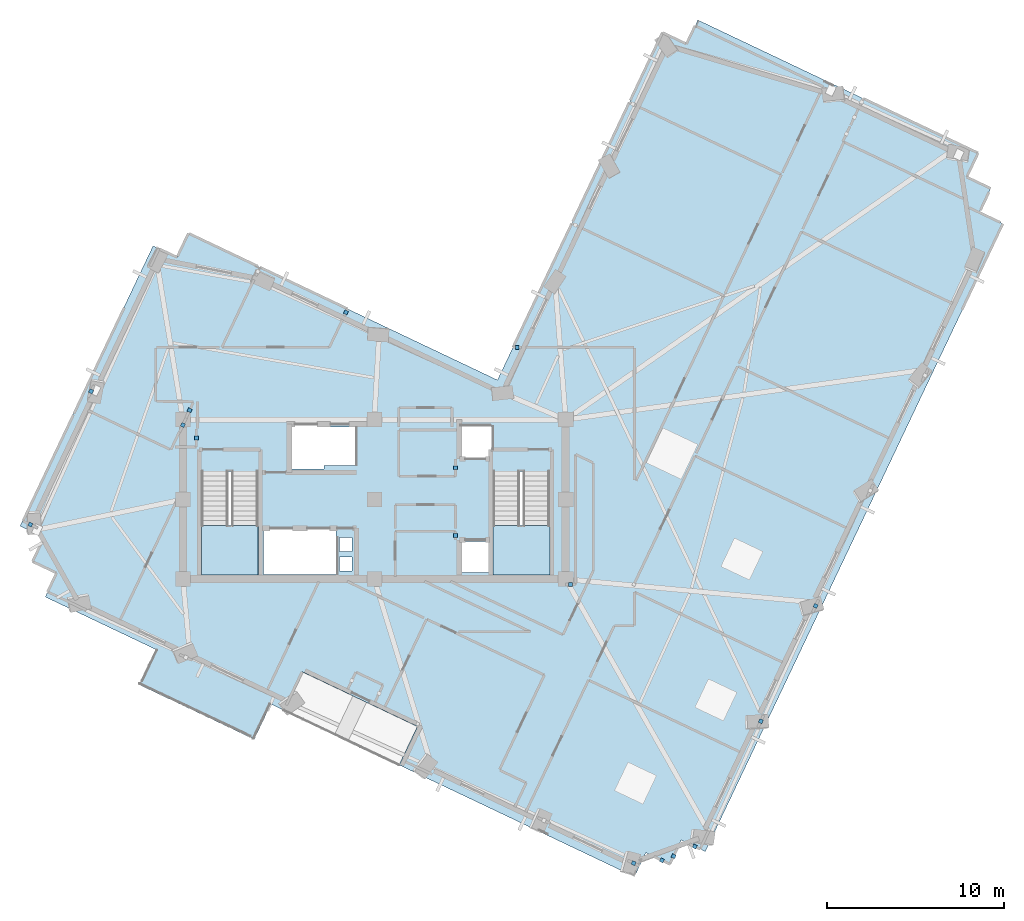
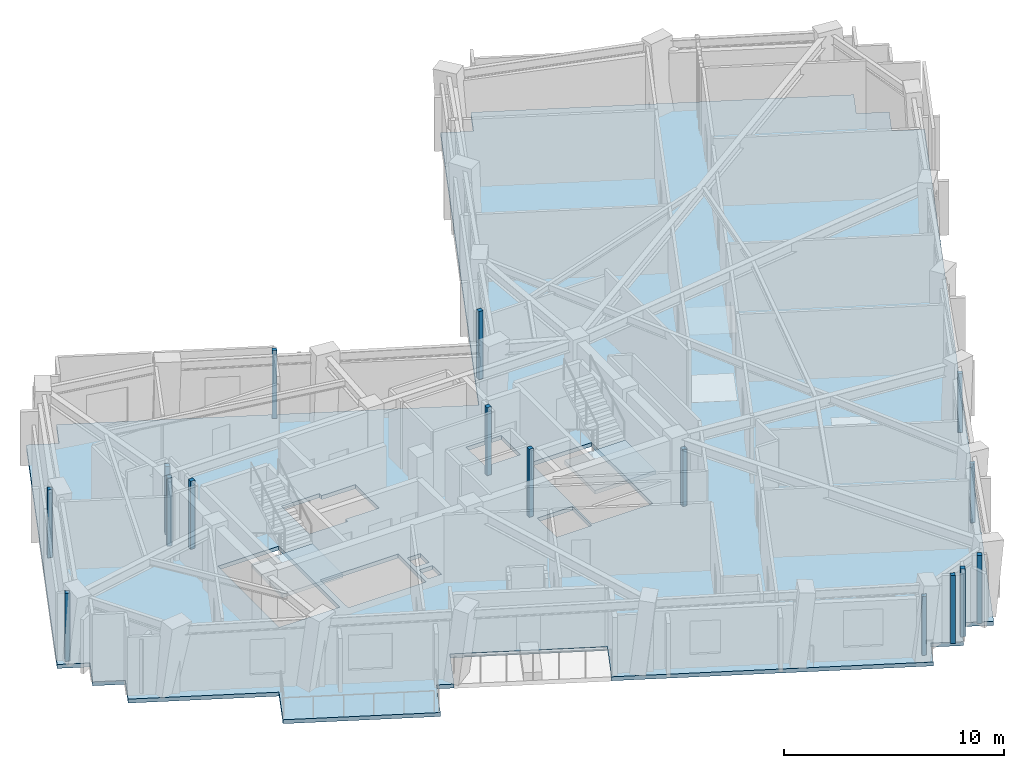
# One storey, part 3 of 13: 16 plates, 3 slabs, 2 elements without a shape of their own.
"""IFC4 building model written with IfcOpenShell, lengths in metres."""

from ifc_helpers import new_model, si_unit, direction, frame, origin, origin_2d, place, context, subcontext, project, spatial, polyline, rectangle, outline, extrude, material, layer, layer_set, type_object, element, aggregate, save


model = new_model("IFC4")

# Units and contexts
model_context = context("Model", 3, precision=1e-05, world=origin(), true_north=direction((0.0, 1.0)))
body_context = subcontext(model_context, "Body", "Model", "MODEL_VIEW")
ifc_project = project(units=[si_unit("LENGTHUNIT", "METRE"), si_unit("AREAUNIT", "SQUARE_METRE"), si_unit("VOLUMEUNIT", "CUBIC_METRE"), si_unit("PLANEANGLEUNIT", "RADIAN"), si_unit("MASSUNIT", "GRAM", prefix="KILO")], contexts=[model_context])

# Site, building, storey
site_placement = place(None, origin())
site = spatial("IfcSite", under=ifc_project, at=site_placement, CompositionType="ELEMENT")
building_placement = place(site_placement, origin())
building = spatial("IfcBuilding", under=site, at=building_placement, Name="Gaonmaruhae Medical Tower", CompositionType="ELEMENT")
storey_placement = place(building_placement, frame((0.0, 0.0, 300.60009765625)))
storey = spatial("IfcBuildingStorey", under=building, at=storey_placement, Name="L72", CompositionType="ELEMENT", Elevation=300.60009765625)

# Slab
ifc_material_1 = material(Name="Concrete C40/50", Category="concrete")
ifc_layer_1 = layer(ifc_material_1, 0.219970703125)
ifc_layer_set_1 = layer_set([ifc_layer_1], Name="Concrete C40/50")
slab_type_1 = type_object("IfcSlabType", Name="FS-220 Clinical Ward Composite Floor Slab", PredefinedType="FLOOR", material=ifc_layer_set_1)
slab_1_placement = place(storey_placement, frame((0.0, 0.0, -0.22021484375)))
element("IfcSlab", 1, at=slab_1_placement, inside=storey, type_object=slab_type_1, Name="L72 Structural Slab 1", PredefinedType="FLOOR", context=body_context, shape_type="SweptSolid", body=[
    extrude(outline(polyline([(6.87646484375, 8.153564453125), (5.521484375, 8.796875), (6.164794921875, 10.15185546875), (4.809814453125, 10.79541015625), (12.31640625, 26.603759765625), (13.67138671875, 25.960205078125), (14.314697265625, 27.315185546875), (31.7490234375, 19.036865234375), (41.056884765625, 38.63916015625), (42.412109375, 37.995849609375), (43.055419921875, 39.350830078125), (58.86376953125, 31.844482421875), (58.22021484375, 30.489501953125), (59.5751953125, 29.845947265625), (58.931884765625, 28.490966796875), (60.286865234375, 27.84765625), (43.47265625, -7.56298828125), (42.11767578125, -6.919677734375), (41.474365234375, -8.274658203125), (40.119384765625, -7.63134765625), (39.475830078125, -8.986328125), (26.19677734375, -2.680908203125), (27.226318359375, -0.512939453125), (20.722412109375, 2.575439453125), (19.69287109375, 0.407470703125), (18.97021484375, 0.75048828125), (18.026611328125, -1.23681640625), (11.5224609375, 1.8515625), (12.466064453125, 3.8388671875), (6.233154296875, 6.798583984375), (6.87646484375, 8.153564453125)]), holes=[polyline([(23.550048828125, 8.25), (22.85009765625, 8.25), (22.85009765625, 9.050048828125), (23.550048828125, 9.050048828125), (23.550048828125, 8.25)]), polyline([(29.574951171875, 9.925048828125), (31.425048828125, 9.925048828125), (31.425048828125, 8.175048828125), (29.574951171875, 8.175048828125), (29.574951171875, 9.925048828125)]), polyline([(18.550048828125, 10.625), (22.64990234375, 10.625), (22.64990234375, 8.074951171875), (18.550048828125, 8.074951171875), (18.550048828125, 10.625)]), polyline([(23.550048828125, 9.35009765625), (22.85009765625, 9.35009765625), (22.85009765625, 10.14990234375), (23.550048828125, 10.14990234375), (23.550048828125, 9.35009765625)]), polyline([(15.050048828125, 13.889892578125), (18.25, 13.889892578125), (18.25, 8.300048828125), (15.050048828125, 8.300048828125), (15.050048828125, 13.889892578125)]), polyline([(31.5, 13.889892578125), (34.699951171875, 13.889892578125), (34.699951171875, 8.300048828125), (31.5, 8.300048828125), (31.5, 13.889892578125)]), polyline([(23.72509765625, 14.22509765625), (21.949951171875, 14.22509765625), (21.949951171875, 14.02490234375), (19.949951171875, 14.02490234375), (19.949951171875, 16.574951171875), (21.949951171875, 16.574951171875), (21.949951171875, 16.375), (23.72509765625, 16.375), (23.72509765625, 14.22509765625)]), polyline([(31.425048828125, 16.425048828125), (31.425048828125, 14.675048828125), (29.574951171875, 14.675048828125), (29.574951171875, 16.425048828125), (31.425048828125, 16.425048828125)])]), origin(), (0.0, 0.0, 1.0), 0.22021484375),
])

# Plates
ifc_material_2 = material(Name="Anodised aluminium 6063-T6", Category="aluminium")
ifc_layer_2 = layer(ifc_material_2, 0.011962890625)
ifc_layer_set_2 = layer_set([ifc_layer_2], Name="Anodised aluminium 6063-T6")
plate_type = type_object("IfcPlateType", Name="PP-01 Interior Partition Corner Stiffener Plate", PredefinedType="SHEET", material=ifc_layer_set_2)
for number, where, z_axis, x_axis, name in (
    (2, (29.3798828125, 10.260009765625, 0.0), (0.0, 0.0, 1.0), (0.0, -1.0, 0.0), "L72 Partition Corner Stiffener Plate PLT-L72-JGP-PW003"),
    (3, (29.3798828125, 14.090087890625, 0.0), (0.0, 0.0, 1.0), (0.0, -1.0, 0.0), "L72 Partition Corner Stiffener Plate PLT-L72-JGP-PW009"),
    (4, (41.028076171875, -8.06298828125, 0.0), (0.0, 0.0, 1.0), (-0.903163034487, 0.429297720861, 0.0), "L72 Partition Corner Stiffener Plate PLT-L72-JGP-PW014"),
):
    element("IfcPlate", number, at=place(storey_placement, frame(where, z_axis=z_axis, x_axis=x_axis)), inside=storey, type_object=plate_type, Name=name, PredefinedType="SHEET", context=body_context, shape_type="SweptSolid", body=[
        extrude(rectangle(XDim=0.219970703125, YDim=0.219970703125, at=origin_2d()), origin(), (0.0, 0.0, 1.0), 3.780029296875),
    ])
plate_1_placement = place(storey_placement, frame((39.431884765625, -8.218994140625, 0.0), z_axis=(0.0, 0.0, 1.0), x_axis=(-0.903462520715, 0.42866708955, 0.0)))
element("IfcPlate", 5, at=plate_1_placement, inside=storey, type_object=plate_type, Name="L72 Partition Corner Stiffener Plate PLT-L72-JGP-PW015", PredefinedType="SHEET", context=body_context, shape_type="SweptSolid", body=[
    extrude(rectangle(XDim=0.219970703125, YDim=0.219970703125, at=origin_2d()), origin(), (0.0, 0.0, 1.0), 3.264892578125),
])
for number, where, z_axis, x_axis, name in (
    (6, (42.882568359375, -7.282958984375, 0.0), (0.0, 0.0, 1.0), (-0.903522365125, 0.428540938206, 0.0), "L72 Partition Corner Stiffener Plate PLT-L72-JGP-PW020"),
    (7, (41.68603515625, -7.8291015625, 0.0), (0.0, 0.0, 1.0), (-0.429297720861, -0.903163034487, 0.0), "L72 Partition Corner Stiffener Plate PLT-L72-JGP-PW021"),
):
    element("IfcPlate", number, at=place(storey_placement, frame(where, z_axis=z_axis, x_axis=x_axis)), inside=storey, type_object=plate_type, Name=name, PredefinedType="SHEET", context=body_context, shape_type="SweptSolid", body=[
        extrude(rectangle(XDim=0.219970703125, YDim=0.219970703125, at=origin_2d()), origin(), (0.0, 0.0, 1.0), 3.780029296875),
    ])
for number, where, z_axis, x_axis, name in (
    (8, (46.6083984375, -0.2119140625, 0.0), (0.0, 0.0, 1.0), (-0.428840534001, -0.903380205892, 0.0), "L72 Partition Corner Stiffener Plate PLT-L72-JGP-PW024"),
    (9, (49.697021484375, 6.29150390625, 0.0), (0.0, 0.0, 1.0), (-0.429140082637, -0.903237947318, 0.0), "L72 Partition Corner Stiffener Plate PLT-L72-JGP-PW028"),
):
    element("IfcPlate", number, at=place(storey_placement, frame(where, z_axis=z_axis, x_axis=x_axis)), inside=storey, type_object=plate_type, Name=name, PredefinedType="SHEET", context=body_context, shape_type="SweptSolid", body=[
        extrude(rectangle(XDim=0.219970703125, YDim=0.219970703125, at=origin_2d()), origin(), (0.0, 0.0, 1.0), 3.264892578125),
    ])
plate_2_placement = place(storey_placement, frame((35.875, 7.5, 0.0), z_axis=(0.0, 0.0, 1.0), x_axis=(1.0, 0.0, 0.0)))
element("IfcPlate", 10, at=plate_2_placement, inside=storey, type_object=plate_type, Name="L72 Partition Corner Stiffener Plate PLT-L72-JGP-PW062", PredefinedType="SHEET", context=body_context, shape_type="SweptSolid", body=[
    extrude(rectangle(XDim=0.219970703125, YDim=0.219970703125, at=origin_2d()), origin(), (0.0, 0.0, 1.0), 3.1650390625),
])
for number, where, z_axis, x_axis, name in (
    (11, (32.864990234375, 20.8798828125, 0.0), (0.0, 0.0, 1.0), (-1.0, 0.0, 0.0), "L72 Partition Corner Stiffener Plate PLT-L72-JGP-PW068"),
    (12, (23.200439453125, 22.85546875, 0.0), (0.0, 0.0, 1.0), (-0.429660239141, -0.902990630572, 0.0), "L72 Partition Corner Stiffener Plate PLT-L72-JGP-PW084"),
    (13, (14.37939453125, 17.33447265625, 0.0), (0.0, 0.0, 1.0), (-0.428446319216, -0.903567236873, 0.0), "L72 Partition Corner Stiffener Plate PLT-L72-JGP-PW091"),
    (14, (8.819580078125, 18.400390625, 0.0), (0.0, 0.0, 1.0), (0.429471107803, 0.903080598597, 0.0), "L72 Partition Corner Stiffener Plate PLT-L72-JGP-PW094"),
    (15, (5.396484375, 10.882568359375, 0.0), (0.0, 0.0, 1.0), (-0.903118073583, 0.429392297519, 0.0), "L72 Partition Corner Stiffener Plate PLT-L72-JGP-PW102"),
    (16, (14.760009765625, 15.7724609375, 0.0), (0.0, 0.0, 1.0), (0.0, -1.0, 0.0), "L72 Partition Corner Stiffener Plate PLT-L72-JGP-PW105"),
    (17, (13.9990234375, 16.50048828125, 0.0), (0.0, 0.0, 1.0), (0.431991306752, 0.901877769374, 0.0), "L72 Partition Corner Stiffener Plate PLT-L72-JGP-PW108"),
):
    element("IfcPlate", number, at=place(storey_placement, frame(where, z_axis=z_axis, x_axis=x_axis)), inside=storey, type_object=plate_type, Name=name, PredefinedType="SHEET", context=body_context, shape_type="SweptSolid", body=[
        extrude(rectangle(XDim=0.219970703125, YDim=0.219970703125, at=origin_2d()), origin(), (0.0, 0.0, 1.0), 3.780029296875),
    ])

# Stair, slab
stair_type = type_object("IfcStairType", Name="ST-T1 Primary Core Escape Dogleg Stair", PredefinedType="TWO_QUARTER_TURN_STAIR", material=ifc_material_1)
stair_1_placement = place(storey_placement, origin())
stair_1 = element("IfcStair", 18, at=stair_1_placement, inside=storey, type_object=stair_type, Name="L72 Protected Escape Stair ST-01", PredefinedType="TWO_QUARTER_TURN_STAIR")
ifc_layer_3 = layer(ifc_material_1, 0.199951171875)
ifc_layer_set_3 = layer_set([ifc_layer_3], Name="Concrete C40/50")
slab_type_2 = type_object("IfcSlabType", Name="SL-200 Stair & Ramp Intermediate Concrete Landing", PredefinedType="LANDING", material=ifc_layer_set_3)
slab_2_placement = place(storey_placement, frame((0.0, 0.0, 1.7998046875)))
slab_2 = element("IfcSlab", 19, at=slab_2_placement, type_object=slab_type_2, Name="ST-01 landing 1", PredefinedType="LANDING", context=body_context, shape_type="SweptSolid", body=[
    extrude(outline(polyline([(15.050048828125, 10.820068359375), (15.050048828125, 8.029052734375), (18.25, 8.029052734375), (18.25, 10.820068359375), (15.050048828125, 10.820068359375)])), origin(), (0.0, 0.0, 1.0), 0.2001953125),
])
aggregate(stair_1, [slab_2])

stair_2_placement = place(storey_placement, origin())
stair_2 = element("IfcStair", 20, at=stair_2_placement, inside=storey, type_object=stair_type, Name="L72 Protected Escape Stair ST-02", PredefinedType="TWO_QUARTER_TURN_STAIR")
slab_3_placement = place(storey_placement, frame((0.0, 0.0, 1.7998046875)))
slab_3 = element("IfcSlab", 21, at=slab_3_placement, type_object=slab_type_2, Name="ST-02 landing 1", PredefinedType="LANDING", context=body_context, shape_type="SweptSolid", body=[
    extrude(outline(polyline([(31.5, 10.820068359375), (31.5, 8.029052734375), (34.699951171875, 8.029052734375), (34.699951171875, 10.820068359375), (31.5, 10.820068359375)])), origin(), (0.0, 0.0, 1.0), 0.2001953125),
])
aggregate(stair_2, [slab_3])

save(model, "model.ifc")
